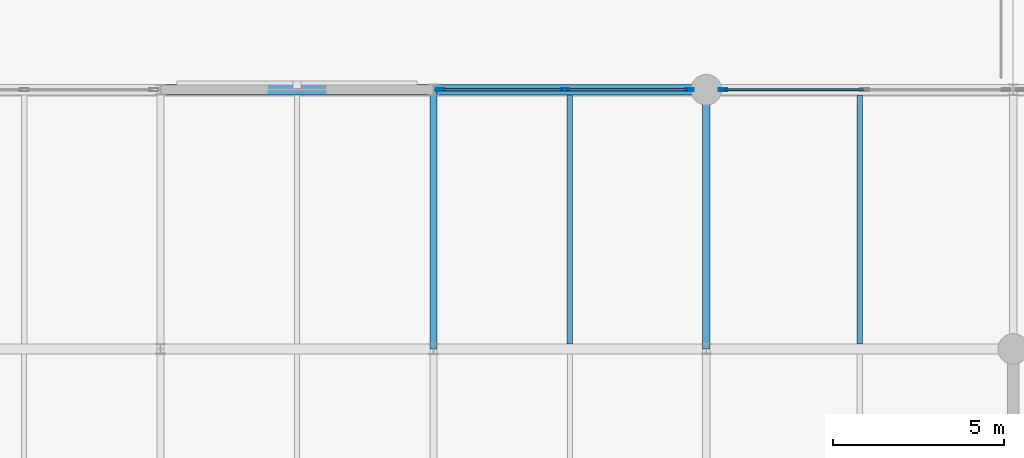
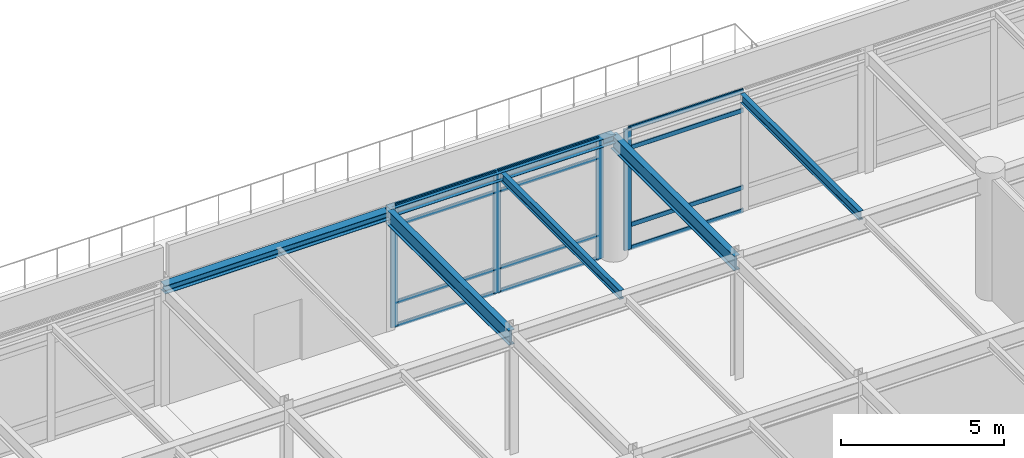
# One storey, part 27 of 43: 16 members, 6 beams, 2 elements without a shape of their own.
"""IFC4 building model written with IfcOpenShell, lengths in metres."""

from ifc_helpers import new_model, si_unit, direction, frame, origin, origin_2d, place, context, subcontext, project, spatial, hollow_rectangle, i_section, extrude, material, layer, layer_set, material_profile, profile_set, type_object, element, aggregate, save


model = new_model("IFC4")

# Units and contexts
model_context = context("Model", 3, precision=1e-05, world=origin(), true_north=direction((0.0, 1.0)))
body_context = subcontext(model_context, "Body", "Model", "MODEL_VIEW")
ifc_project = project(units=[si_unit("LENGTHUNIT", "METRE"), si_unit("AREAUNIT", "SQUARE_METRE"), si_unit("VOLUMEUNIT", "CUBIC_METRE"), si_unit("PLANEANGLEUNIT", "RADIAN"), si_unit("MASSUNIT", "GRAM", prefix="KILO")], contexts=[model_context])

# Site, building, storey
site_placement = place(None, origin())
site = spatial("IfcSite", under=ifc_project, at=site_placement, CompositionType="ELEMENT")
building_placement = place(site_placement, origin())
building = spatial("IfcBuilding", under=site, at=building_placement, Name="Shalkamar Park Central Library", CompositionType="ELEMENT")
storey_placement = place(building_placement, frame((0.0, 0.0, 15.60009765625)))
storey = spatial("IfcBuildingStorey", under=building, at=storey_placement, Name="L04", CompositionType="ELEMENT", Elevation=15.60009765625)

# Beams
ifc_material_1 = material(Name="Steel S355", Category="steel")
ifc_material_profile_1 = material_profile(ifc_material_1, i_section(OverallWidth=0.159912109375, OverallDepth=0.330078125, WebThickness=0.007568359375, FlangeThickness=0.011474609375, FilletRadius=0.01806640625, at=origin_2d()), Name="IPE 330")
ifc_profile_set_1 = profile_set([ifc_material_profile_1], Name="Steel S355")
beam_type_1 = type_object("IfcBeamType", Name="Composite Floor Joist IPE330", PredefinedType="JOIST", material=ifc_profile_set_1)
for number, where, z_axis, x_axis, name in (
    (1, (233.0, 308.548095703125, 4.385009765625), (0.0, 1.0, 0.0), (-1.0, 0.0, 0.0), "Composite Joist 15/K-1 (L04)"),
    (2, (241.5, 308.548095703125, 4.385009765625), (0.0, 1.0, 0.0), (-1.0, 0.0, 0.0), "Composite Joist 16/K-1 (L04)"),
):
    element("IfcBeam", number, at=place(storey_placement, frame(where, z_axis=z_axis, x_axis=x_axis)), inside=storey, type_object=beam_type_1, Name=name, PredefinedType="JOIST", context=body_context, shape_type="SweptSolid", body=[
        extrude(i_section(OverallWidth=0.159912109375, OverallDepth=0.330078125, WebThickness=0.007568359375, FlangeThickness=0.011474609375, FilletRadius=0.01806640625, at=origin_2d()), origin(), (0.0, 0.0, 1.0), 7.303955078125),
    ])

# Curtain wall, members
ifc_material_2 = material(Name="Thermally broken aluminium and triple low-e curtain wall", Category="aluminium")
ifc_layer_1 = layer(ifc_material_2, 0.25)
ifc_layer_set_1 = layer_set([ifc_layer_1], Name="UnitisedCurtainWall_59")
curtain_wall_type_1 = type_object("IfcCurtainWallType", Name="Unitised Curtain Wall 59", PredefinedType="USERDEFINED", material=ifc_layer_set_1)
curtain_wall_1_placement = place(storey_placement, origin())
curtain_wall_1 = element("IfcCurtainWall", 3, at=curtain_wall_1_placement, inside=storey, type_object=curtain_wall_type_1, Name="Unitised Curtain Wall CW-L04-074", ObjectType="UNITISED CURTAIN WALL", PredefinedType="USERDEFINED")
ifc_material_3 = material(Name="Aluminium 6060-T66", Category="aluminium")
ifc_material_profile_2 = material_profile(ifc_material_3, hollow_rectangle(XDim=0.074951171875, YDim=0.25, WallThickness=0.00390625, InnerFilletRadius=0.00390625, OuterFilletRadius=0.006103515625, at=origin_2d()), Name="ALU 75x250x4")
ifc_profile_set_2 = profile_set([ifc_material_profile_2], Name="Aluminium 6060-T66")
member_type_1 = type_object("IfcMemberType", Name="Curtain Wall Mullion ALU75x250", PredefinedType="MULLION", material=ifc_profile_set_2)
member_1_placement = place(storey_placement, frame((229.201416015625, 316.0, 0.0), z_axis=(0.0, 0.0, 1.0), x_axis=(0.0, 1.0, 0.0)))
member_1 = element("IfcMember", 4, at=member_1_placement, type_object=member_type_1, Name="CW-59 mullion 1", PredefinedType="MULLION", context=body_context, shape_type="SweptSolid", body=[
    extrude(hollow_rectangle(XDim=0.074951171875, YDim=0.25, WallThickness=0.00390625, InnerFilletRadius=0.00390625, OuterFilletRadius=0.006103515625, at=origin_2d()), origin(), (0.0, 0.0, 1.0), 4.5498046875),
])
member_2_placement = place(storey_placement, frame((232.85498046875, 316.0, 0.0), z_axis=(0.0, 0.0, 1.0), x_axis=(0.0, 1.0, 0.0)))
member_2 = element("IfcMember", 5, at=member_2_placement, type_object=member_type_1, Name="CW-59 mullion 2", PredefinedType="MULLION", context=body_context, shape_type="SweptSolid", body=[
    extrude(hollow_rectangle(XDim=0.074951171875, YDim=0.25, WallThickness=0.00390625, InnerFilletRadius=0.00390625, OuterFilletRadius=0.006103515625, at=origin_2d()), origin(), (0.0, 0.0, 1.0), 4.5498046875),
])
member_3_placement = place(storey_placement, frame((236.508544921875, 316.0, 0.0), z_axis=(0.0, 0.0, 1.0), x_axis=(0.0, 1.0, 0.0)))
member_3 = element("IfcMember", 6, at=member_3_placement, type_object=member_type_1, Name="CW-59 mullion 3", PredefinedType="MULLION", context=body_context, shape_type="SweptSolid", body=[
    extrude(hollow_rectangle(XDim=0.074951171875, YDim=0.25, WallThickness=0.00390625, InnerFilletRadius=0.00390625, OuterFilletRadius=0.006103515625, at=origin_2d()), origin(), (0.0, 0.0, 1.0), 4.5498046875),
])

# Curtain wall, member
ifc_layer_2 = layer(ifc_material_2, 0.260009765625)
ifc_layer_set_2 = layer_set([ifc_layer_2], Name="UnitisedCurtainWall_60")
curtain_wall_type_2 = type_object("IfcCurtainWallType", Name="Unitised Curtain Wall 60", PredefinedType="USERDEFINED", material=ifc_layer_set_2)
curtain_wall_2_placement = place(storey_placement, origin())
curtain_wall_2 = element("IfcCurtainWall", 7, at=curtain_wall_2_placement, inside=storey, type_object=curtain_wall_type_2, Name="Unitised Curtain Wall CW-L04-075", ObjectType="UNITISED CURTAIN WALL", PredefinedType="USERDEFINED")
ifc_material_profile_3 = material_profile(ifc_material_3, hollow_rectangle(XDim=0.074951171875, YDim=0.260009765625, WallThickness=0.00439453125, InnerFilletRadius=0.00439453125, OuterFilletRadius=0.0068359375, at=origin_2d()), Name="ALU 75x260x4.5")
ifc_profile_set_3 = profile_set([ifc_material_profile_3], Name="Aluminium 6060-T66")
member_type_2 = type_object("IfcMemberType", Name="Curtain Wall Mullion ALU75x260", PredefinedType="MULLION", material=ifc_profile_set_3)
member_4_placement = place(storey_placement, frame((237.491455078125, 316.0, 0.0), z_axis=(0.0, 0.0, 1.0), x_axis=(0.0, 1.0, 0.0)))
member_4 = element("IfcMember", 8, at=member_4_placement, type_object=member_type_2, Name="CW-60 mullion 1", PredefinedType="MULLION", context=body_context, shape_type="SweptSolid", body=[
    extrude(hollow_rectangle(XDim=0.074951171875, YDim=0.260009765625, WallThickness=0.00439453125, InnerFilletRadius=0.00439453125, OuterFilletRadius=0.0068359375, at=origin_2d()), origin(), (0.0, 0.0, 1.0), 4.5498046875),
])

# Member
ifc_material_profile_4 = material_profile(ifc_material_3, hollow_rectangle(XDim=0.06005859375, YDim=0.159912109375, WallThickness=0.00390625, InnerFilletRadius=0.00390625, OuterFilletRadius=0.006103515625, at=origin_2d()), Name="ALU 60x160x4")
ifc_profile_set_4 = profile_set([ifc_material_profile_4], Name="Aluminium 6060-T66")
member_type_3 = type_object("IfcMemberType", Name="Curtain Wall Transom ALU60x160", PredefinedType="USERDEFINED", material=ifc_profile_set_4)
member_5_placement = place(storey_placement, frame((229.239013671875, 316.0, 0.02978515625), z_axis=(1.0, 0.0, 0.0), x_axis=(0.0, 1.0, 0.0)))
member_5 = element("IfcMember", 9, at=member_5_placement, type_object=member_type_3, Name="CW-59 transom 1.1", ObjectType="TRANSOM", PredefinedType="USERDEFINED", context=body_context, shape_type="SweptSolid", body=[
    extrude(hollow_rectangle(XDim=0.06005859375, YDim=0.159912109375, WallThickness=0.00390625, InnerFilletRadius=0.00390625, OuterFilletRadius=0.006103515625, at=origin_2d()), origin(), (0.0, 0.0, 1.0), 3.578369140625),
])

member_6_placement = place(storey_placement, frame((229.239013671875, 316.0, 0.89990234375), z_axis=(1.0, 0.0, 0.0), x_axis=(0.0, 1.0, 0.0)))
member_6 = element("IfcMember", 10, at=member_6_placement, type_object=member_type_3, Name="CW-59 transom 1.2", ObjectType="TRANSOM", PredefinedType="USERDEFINED", context=body_context, shape_type="SweptSolid", body=[
    extrude(hollow_rectangle(XDim=0.06005859375, YDim=0.159912109375, WallThickness=0.00390625, InnerFilletRadius=0.00390625, OuterFilletRadius=0.006103515625, at=origin_2d()), origin(), (0.0, 0.0, 1.0), 3.578369140625),
])

member_7_placement = place(storey_placement, frame((229.239013671875, 316.0, 3.7998046875), z_axis=(1.0, 0.0, 0.0), x_axis=(0.0, 1.0, 0.0)))
member_7 = element("IfcMember", 11, at=member_7_placement, type_object=member_type_3, Name="CW-59 transom 1.3", ObjectType="TRANSOM", PredefinedType="USERDEFINED", context=body_context, shape_type="SweptSolid", body=[
    extrude(hollow_rectangle(XDim=0.06005859375, YDim=0.159912109375, WallThickness=0.00390625, InnerFilletRadius=0.00390625, OuterFilletRadius=0.006103515625, at=origin_2d()), origin(), (0.0, 0.0, 1.0), 3.578369140625),
])

member_8_placement = place(storey_placement, frame((229.239013671875, 316.0, 4.52001953125), z_axis=(1.0, 0.0, 0.0), x_axis=(0.0, 1.0, 0.0)))
member_8 = element("IfcMember", 12, at=member_8_placement, type_object=member_type_3, Name="CW-59 transom 1.4", ObjectType="TRANSOM", PredefinedType="USERDEFINED", context=body_context, shape_type="SweptSolid", body=[
    extrude(hollow_rectangle(XDim=0.06005859375, YDim=0.159912109375, WallThickness=0.00390625, InnerFilletRadius=0.00390625, OuterFilletRadius=0.006103515625, at=origin_2d()), origin(), (0.0, 0.0, 1.0), 3.578369140625),
])

member_9_placement = place(storey_placement, frame((232.892578125, 316.0, 0.02978515625), z_axis=(1.0, 0.0, 0.0), x_axis=(0.0, 1.0, 0.0)))
member_9 = element("IfcMember", 13, at=member_9_placement, type_object=member_type_3, Name="CW-59 transom 2.1", ObjectType="TRANSOM", PredefinedType="USERDEFINED", context=body_context, shape_type="SweptSolid", body=[
    extrude(hollow_rectangle(XDim=0.06005859375, YDim=0.159912109375, WallThickness=0.00390625, InnerFilletRadius=0.00390625, OuterFilletRadius=0.006103515625, at=origin_2d()), origin(), (0.0, 0.0, 1.0), 3.578369140625),
])

member_10_placement = place(storey_placement, frame((232.892578125, 316.0, 0.89990234375), z_axis=(1.0, 0.0, 0.0), x_axis=(0.0, 1.0, 0.0)))
member_10 = element("IfcMember", 14, at=member_10_placement, type_object=member_type_3, Name="CW-59 transom 2.2", ObjectType="TRANSOM", PredefinedType="USERDEFINED", context=body_context, shape_type="SweptSolid", body=[
    extrude(hollow_rectangle(XDim=0.06005859375, YDim=0.159912109375, WallThickness=0.00390625, InnerFilletRadius=0.00390625, OuterFilletRadius=0.006103515625, at=origin_2d()), origin(), (0.0, 0.0, 1.0), 3.578369140625),
])

member_11_placement = place(storey_placement, frame((232.892578125, 316.0, 3.7998046875), z_axis=(1.0, 0.0, 0.0), x_axis=(0.0, 1.0, 0.0)))
member_11 = element("IfcMember", 15, at=member_11_placement, type_object=member_type_3, Name="CW-59 transom 2.3", ObjectType="TRANSOM", PredefinedType="USERDEFINED", context=body_context, shape_type="SweptSolid", body=[
    extrude(hollow_rectangle(XDim=0.06005859375, YDim=0.159912109375, WallThickness=0.00390625, InnerFilletRadius=0.00390625, OuterFilletRadius=0.006103515625, at=origin_2d()), origin(), (0.0, 0.0, 1.0), 3.578369140625),
])

member_12_placement = place(storey_placement, frame((232.892578125, 316.0, 4.52001953125), z_axis=(1.0, 0.0, 0.0), x_axis=(0.0, 1.0, 0.0)))
member_12 = element("IfcMember", 16, at=member_12_placement, type_object=member_type_3, Name="CW-59 transom 2.4", ObjectType="TRANSOM", PredefinedType="USERDEFINED", context=body_context, shape_type="SweptSolid", body=[
    extrude(hollow_rectangle(XDim=0.06005859375, YDim=0.159912109375, WallThickness=0.00390625, InnerFilletRadius=0.00390625, OuterFilletRadius=0.006103515625, at=origin_2d()), origin(), (0.0, 0.0, 1.0), 3.578369140625),
])

aggregate(curtain_wall_1, [member_1, member_2, member_3, member_5, member_6, member_7, member_8, member_9, member_10, member_11, member_12])

ifc_material_profile_5 = material_profile(ifc_material_3, hollow_rectangle(XDim=0.06005859375, YDim=0.1650390625, WallThickness=0.00390625, InnerFilletRadius=0.00390625, OuterFilletRadius=0.006103515625, at=origin_2d()), Name="ALU 60x165x4")
ifc_profile_set_5 = profile_set([ifc_material_profile_5], Name="Aluminium 6060-T66")
member_type_4 = type_object("IfcMemberType", Name="Curtain Wall Transom ALU60x165", PredefinedType="USERDEFINED", material=ifc_profile_set_5)
member_13_placement = place(storey_placement, frame((237.529052734375, 316.0, 0.02978515625), z_axis=(1.0, 0.0, 0.0), x_axis=(0.0, 1.0, 0.0)))
member_13 = element("IfcMember", 17, at=member_13_placement, type_object=member_type_4, Name="CW-60 transom 1.1", ObjectType="TRANSOM", PredefinedType="USERDEFINED", context=body_context, shape_type="SweptSolid", body=[
    extrude(hollow_rectangle(XDim=0.06005859375, YDim=0.1650390625, WallThickness=0.00390625, InnerFilletRadius=0.00390625, OuterFilletRadius=0.006103515625, at=origin_2d()), origin(), (0.0, 0.0, 1.0), 4.078369140625),
])

member_14_placement = place(storey_placement, frame((237.529052734375, 316.0, 0.89990234375), z_axis=(1.0, 0.0, 0.0), x_axis=(0.0, 1.0, 0.0)))
member_14 = element("IfcMember", 18, at=member_14_placement, type_object=member_type_4, Name="CW-60 transom 1.2", ObjectType="TRANSOM", PredefinedType="USERDEFINED", context=body_context, shape_type="SweptSolid", body=[
    extrude(hollow_rectangle(XDim=0.06005859375, YDim=0.1650390625, WallThickness=0.00390625, InnerFilletRadius=0.00390625, OuterFilletRadius=0.006103515625, at=origin_2d()), origin(), (0.0, 0.0, 1.0), 4.078369140625),
])

member_15_placement = place(storey_placement, frame((237.529052734375, 316.0, 3.7998046875), z_axis=(1.0, 0.0, 0.0), x_axis=(0.0, 1.0, 0.0)))
member_15 = element("IfcMember", 19, at=member_15_placement, type_object=member_type_4, Name="CW-60 transom 1.3", ObjectType="TRANSOM", PredefinedType="USERDEFINED", context=body_context, shape_type="SweptSolid", body=[
    extrude(hollow_rectangle(XDim=0.06005859375, YDim=0.1650390625, WallThickness=0.00390625, InnerFilletRadius=0.00390625, OuterFilletRadius=0.006103515625, at=origin_2d()), origin(), (0.0, 0.0, 1.0), 4.078369140625),
])

member_16_placement = place(storey_placement, frame((237.529052734375, 316.0, 4.52001953125), z_axis=(1.0, 0.0, 0.0), x_axis=(0.0, 1.0, 0.0)))
member_16 = element("IfcMember", 20, at=member_16_placement, type_object=member_type_4, Name="CW-60 transom 1.4", ObjectType="TRANSOM", PredefinedType="USERDEFINED", context=body_context, shape_type="SweptSolid", body=[
    extrude(hollow_rectangle(XDim=0.06005859375, YDim=0.1650390625, WallThickness=0.00390625, InnerFilletRadius=0.00390625, OuterFilletRadius=0.006103515625, at=origin_2d()), origin(), (0.0, 0.0, 1.0), 4.078369140625),
])

aggregate(curtain_wall_2, [member_4, member_13, member_14, member_15, member_16])

# Beams
ifc_material_profile_6 = material_profile(ifc_material_1, i_section(OverallWidth=0.300048828125, OverallDepth=0.31005859375, WebThickness=0.009033203125, FlangeThickness=0.015380859375, FilletRadius=0.027099609375, at=origin_2d()), Name="HEA 320")
ifc_profile_set_6 = profile_set([ifc_material_profile_6], Name="Steel S355")
beam_type_2 = type_object("IfcBeamType", Name="Perimeter Spandrel Beam HEA320", PredefinedType="SPANDREL", material=ifc_profile_set_6)
for number, where, z_axis, x_axis, name in (
    (21, (221.0, 316.0, 4.324951171875), (1.0, 0.0, 0.0), (0.0, 1.0, 0.0), "Beam L:14-15 (L04)"),
    (22, (229.0, 316.0, 4.39501953125), (1.0, 0.0, 0.0), (0.0, 1.0, 0.0), "Beam L:15-16 (L04)"),
):
    element("IfcBeam", number, at=place(storey_placement, frame(where, z_axis=z_axis, x_axis=x_axis)), inside=storey, type_object=beam_type_2, Name=name, PredefinedType="SPANDREL", context=body_context, shape_type="SweptSolid", body=[
        extrude(i_section(OverallWidth=0.300048828125, OverallDepth=0.31005859375, WebThickness=0.009033203125, FlangeThickness=0.015380859375, FilletRadius=0.027099609375, at=origin_2d()), origin(), (0.0, 0.0, 1.0), 8.0),
    ])
ifc_material_profile_7 = material_profile(ifc_material_1, i_section(OverallWidth=0.2099609375, OverallDepth=0.550048828125, WebThickness=0.010986328125, FlangeThickness=0.01708984375, FilletRadius=0.02392578125, at=origin_2d()), Name="IPE 550")
ifc_profile_set_7 = profile_set([ifc_material_profile_7], Name="Steel S355")
beam_type_3 = type_object("IfcBeamType", Name="Primary Girder IPE550", PredefinedType="BEAM", material=ifc_profile_set_7)
for number, where, z_axis, x_axis, name in (
    (23, (229.0, 308.39990234375, 4.27490234375), (0.0, 1.0, 0.0), (-1.0, 0.0, 0.0), "Beam 15:K-L (L04)"),
    (24, (237.0, 308.39990234375, 4.27490234375), (0.0, 1.0, 0.0), (-1.0, 0.0, 0.0), "Beam 16:K-L (L04)"),
):
    element("IfcBeam", number, at=place(storey_placement, frame(where, z_axis=z_axis, x_axis=x_axis)), inside=storey, type_object=beam_type_3, Name=name, PredefinedType="BEAM", context=body_context, shape_type="SweptSolid", body=[
        extrude(i_section(OverallWidth=0.2099609375, OverallDepth=0.550048828125, WebThickness=0.010986328125, FlangeThickness=0.01708984375, FilletRadius=0.02392578125, at=origin_2d()), origin(), (0.0, 0.0, 1.0), 7.60009765625),
    ])

save(model, "model.ifc")
